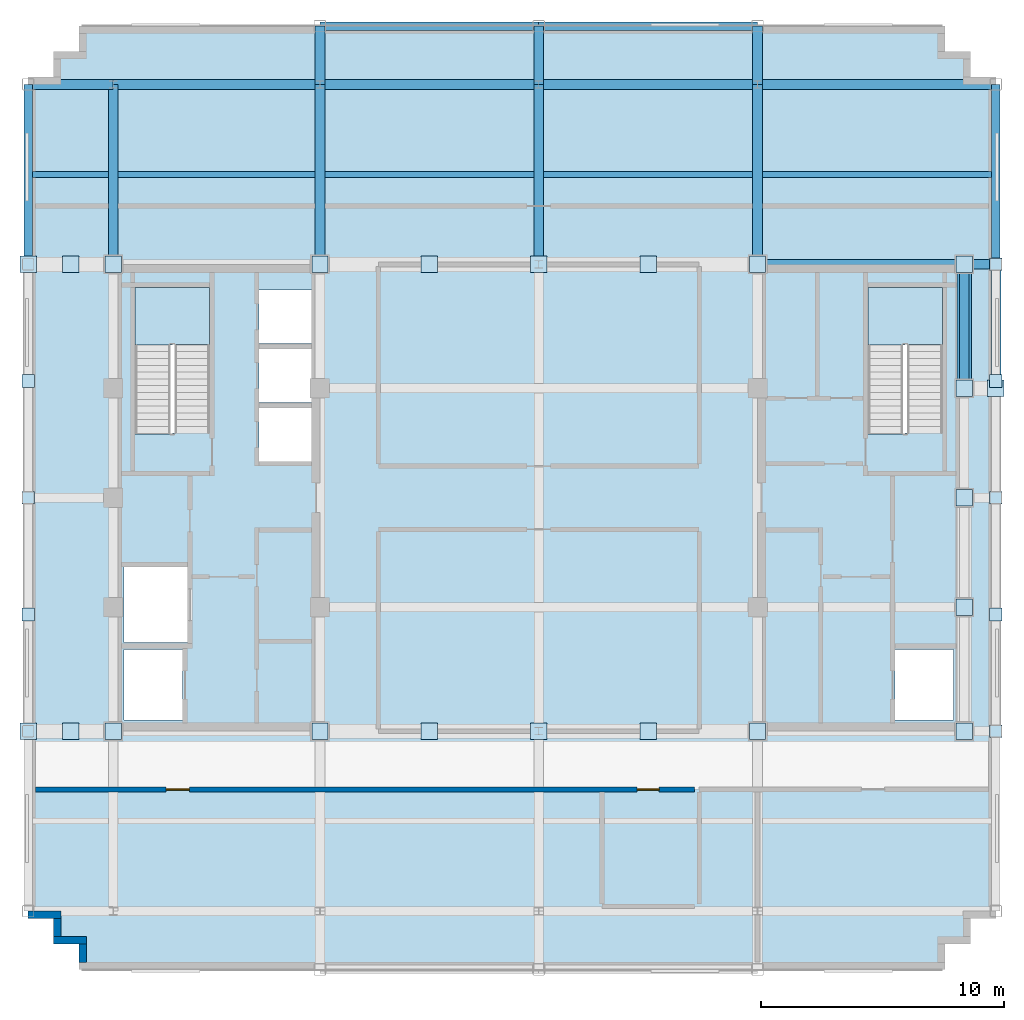
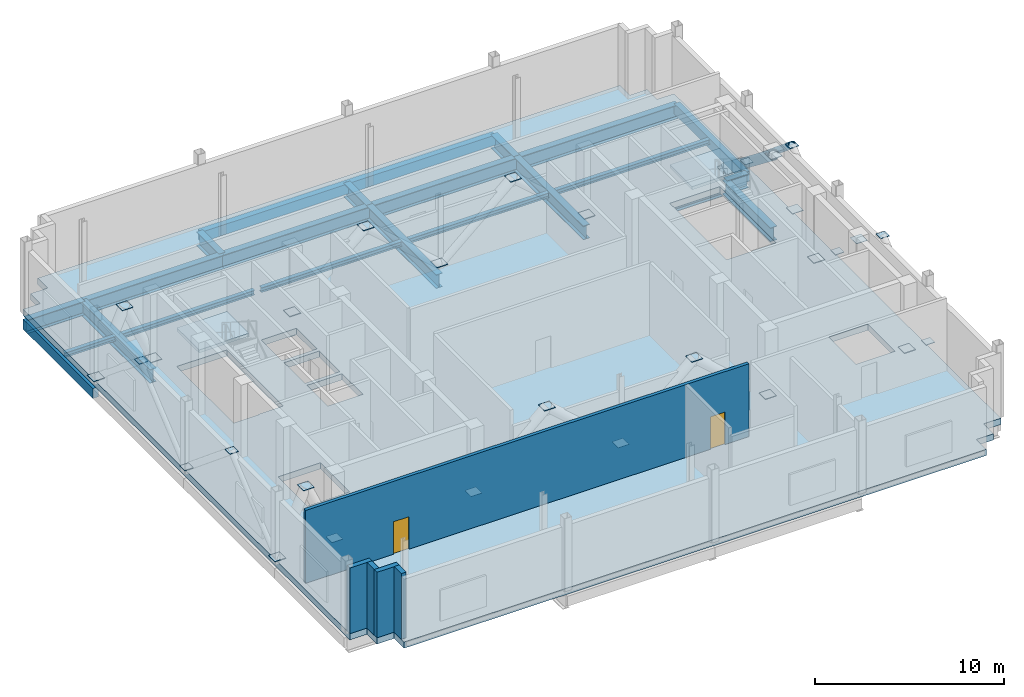
# One storey, part 5 of 12: 30 plates, 24 beams, 5 walls, 3 slabs, 2 doors, 2 members, 2 openings, 2 elements without a shape of their own.
"""IFC4 building model written with IfcOpenShell, lengths in metres."""

from ifc_helpers import new_model, si_unit, direction, frame, frame_2d, origin, origin_2d, place, context, subcontext, project, spatial, polyline, rectangle, hollow_circle, i_section, outline, extrude, source, transform, mapped, material, layer, layer_set, material_profile, profile_set, type_object, type_shapes, element, fill, aggregate, save


model = new_model("IFC4")

# Units and contexts
model_context = context("Model", 3, precision=1e-05, world=origin(), true_north=direction((0.0, 1.0)))
body_context = subcontext(model_context, "Body", "Model", "MODEL_VIEW")
ifc_project = project(units=[si_unit("LENGTHUNIT", "METRE"), si_unit("AREAUNIT", "SQUARE_METRE"), si_unit("VOLUMEUNIT", "CUBIC_METRE"), si_unit("PLANEANGLEUNIT", "RADIAN"), si_unit("MASSUNIT", "GRAM", prefix="KILO")], contexts=[model_context])

# Site, building, storey
site_placement = place(None, origin())
site = spatial("IfcSite", under=ifc_project, at=site_placement, CompositionType="ELEMENT")
building_placement = place(site_placement, origin())
building = spatial("IfcBuilding", under=site, at=building_placement, Name="Nuvemarco Arch Tower", CompositionType="ELEMENT")
storey_placement = place(building_placement, frame((0.0, 0.0, 252.949951171875)))
storey = spatial("IfcBuildingStorey", under=building, at=storey_placement, Name="L67", CompositionType="ELEMENT", Elevation=252.949951171875)

# Beams
ifc_material_1 = material(Name="Steel S355", Category="steel")
ifc_material_profile_1 = material_profile(ifc_material_1, i_section(OverallWidth=0.39990234375, OverallDepth=0.89990234375, WebThickness=0.02197265625, FlangeThickness=0.035888671875, FilletRadius=0.01611328125, at=origin_2d()), Name="PG900x400")
ifc_profile_set_1 = profile_set([ifc_material_profile_1], Name="Steel S355")
beam_type_1 = type_object("IfcBeamType", Name="BM-GIRD-900", PredefinedType="BEAM", material=ifc_profile_set_1)
for number, where, z_axis, x_axis, name in (
    (1, (-17.5, 9.60009765625, -0.849853515625), (0.0, 1.0, 0.0), (-1.0, 0.0, 0.0), "L67 structural beam BGNS_L67_0_-17.5_+9.6"),
    (2, (-9.0, 9.60009765625, -0.849853515625), (0.0, 1.0, 0.0), (-1.0, 0.0, 0.0), "L67 structural beam BGNS_L67_0_-9.0_+9.6"),
):
    element("IfcBeam", number, at=place(storey_placement, frame(where, z_axis=z_axis, x_axis=x_axis)), inside=storey, type_object=beam_type_1, Name=name, PredefinedType="BEAM", context=body_context, shape_type="SweptSolid", body=[
        extrude(i_section(OverallWidth=0.39990234375, OverallDepth=0.89990234375, WebThickness=0.02197265625, FlangeThickness=0.035888671875, FilletRadius=0.01611328125, at=origin_2d()), origin(), (0.0, 0.0, 1.0), 7.39990234375),
    ])
beam_1_placement = place(storey_placement, frame((-9.0, 17.0, -0.849853515625), z_axis=(0.0, 1.0, 0.0), x_axis=(-1.0, 0.0, 0.0)))
element("IfcBeam", 3, at=beam_1_placement, inside=storey, type_object=beam_type_1, Name="L67 structural beam BGNS_L67_0_-9.0_+17.0", PredefinedType="BEAM", context=body_context, shape_type="SweptSolid", body=[
    extrude(i_section(OverallWidth=0.39990234375, OverallDepth=0.89990234375, WebThickness=0.02197265625, FlangeThickness=0.035888671875, FilletRadius=0.01611328125, at=origin_2d()), origin(), (0.0, 0.0, 1.0), 2.39990234375),
])
beam_2_placement = place(storey_placement, frame((0.0, 9.60009765625, -0.849853515625), z_axis=(0.0, 1.0, 0.0), x_axis=(-1.0, 0.0, 0.0)))
element("IfcBeam", 4, at=beam_2_placement, inside=storey, type_object=beam_type_1, Name="L67 structural beam BGNS_L67_0_+0.0_+9.6", PredefinedType="BEAM", context=body_context, shape_type="SweptSolid", body=[
    extrude(i_section(OverallWidth=0.39990234375, OverallDepth=0.89990234375, WebThickness=0.02197265625, FlangeThickness=0.035888671875, FilletRadius=0.01611328125, at=origin_2d()), origin(), (0.0, 0.0, 1.0), 7.39990234375),
])
beam_3_placement = place(storey_placement, frame((0.0, 17.0, -0.849853515625), z_axis=(0.0, 1.0, 0.0), x_axis=(-1.0, 0.0, 0.0)))
element("IfcBeam", 5, at=beam_3_placement, inside=storey, type_object=beam_type_1, Name="L67 structural beam BGNS_L67_0_+0.0_+17.0", PredefinedType="BEAM", context=body_context, shape_type="SweptSolid", body=[
    extrude(i_section(OverallWidth=0.39990234375, OverallDepth=0.89990234375, WebThickness=0.02197265625, FlangeThickness=0.035888671875, FilletRadius=0.01611328125, at=origin_2d()), origin(), (0.0, 0.0, 1.0), 2.39990234375),
])
beam_4_placement = place(storey_placement, frame((9.0, 9.60009765625, -0.849853515625), z_axis=(0.0, 1.0, 0.0), x_axis=(-1.0, 0.0, 0.0)))
element("IfcBeam", 6, at=beam_4_placement, inside=storey, type_object=beam_type_1, Name="L67 structural beam BGNS_L67_0_+9.0_+9.6", PredefinedType="BEAM", context=body_context, shape_type="SweptSolid", body=[
    extrude(i_section(OverallWidth=0.39990234375, OverallDepth=0.89990234375, WebThickness=0.02197265625, FlangeThickness=0.035888671875, FilletRadius=0.01611328125, at=origin_2d()), origin(), (0.0, 0.0, 1.0), 7.39990234375),
])
beam_5_placement = place(storey_placement, frame((9.0, 17.0, -0.849853515625), z_axis=(0.0, 1.0, 0.0), x_axis=(-1.0, 0.0, 0.0)))
element("IfcBeam", 7, at=beam_5_placement, inside=storey, type_object=beam_type_1, Name="L67 structural beam BGNS_L67_0_+9.0_+17.0", PredefinedType="BEAM", context=body_context, shape_type="SweptSolid", body=[
    extrude(i_section(OverallWidth=0.39990234375, OverallDepth=0.89990234375, WebThickness=0.02197265625, FlangeThickness=0.035888671875, FilletRadius=0.01611328125, at=origin_2d()), origin(), (0.0, 0.0, 1.0), 2.39990234375),
])
beam_6_placement = place(storey_placement, frame((17.5, 4.5, -0.849853515625), z_axis=(0.0, 1.0, 0.0), x_axis=(-1.0, 0.0, 0.0)))
element("IfcBeam", 8, at=beam_6_placement, inside=storey, type_object=beam_type_1, Name="L67 structural beam BGNS_L67_0_+17.5_+4.5", PredefinedType="BEAM", context=body_context, shape_type="SweptSolid", body=[
    extrude(i_section(OverallWidth=0.39990234375, OverallDepth=0.89990234375, WebThickness=0.02197265625, FlangeThickness=0.035888671875, FilletRadius=0.01611328125, at=origin_2d()), origin(), (0.0, 0.0, 1.0), 5.10009765625),
])
beam_7_placement = place(storey_placement, frame((9.0, 9.60009765625, -0.849853515625), z_axis=(1.0, 0.0, 0.0), x_axis=(0.0, 1.0, 0.0)))
element("IfcBeam", 9, at=beam_7_placement, inside=storey, type_object=beam_type_1, Name="L67 structural beam BGEW_L67_0_+9.6_+9.0", PredefinedType="BEAM", context=body_context, shape_type="SweptSolid", body=[
    extrude(i_section(OverallWidth=0.39990234375, OverallDepth=0.89990234375, WebThickness=0.02197265625, FlangeThickness=0.035888671875, FilletRadius=0.01611328125, at=origin_2d()), origin(), (0.0, 0.0, 1.0), 8.5),
])
beam_8_placement = place(storey_placement, frame((17.5, 9.60009765625, -0.849853515625), z_axis=(1.0, 0.0, 0.0), x_axis=(0.0, 1.0, 0.0)))
element("IfcBeam", 10, at=beam_8_placement, inside=storey, type_object=beam_type_1, Name="L67 structural beam BGEW_L67_0_+9.6_+17.5", PredefinedType="BEAM", context=body_context, shape_type="SweptSolid", body=[
    extrude(i_section(OverallWidth=0.39990234375, OverallDepth=0.89990234375, WebThickness=0.02197265625, FlangeThickness=0.035888671875, FilletRadius=0.01611328125, at=origin_2d()), origin(), (0.0, 0.0, 1.0), 1.300048828125),
])
beam_9_placement = place(storey_placement, frame((-21.0, 17.0, -0.849853515625), z_axis=(1.0, 0.0, 0.0), x_axis=(0.0, 1.0, 0.0)))
element("IfcBeam", 11, at=beam_9_placement, inside=storey, type_object=beam_type_1, Name="L67 structural beam BGEW_L67_0_+17.0_-21.0", PredefinedType="BEAM", context=body_context, shape_type="SweptSolid", body=[
    extrude(i_section(OverallWidth=0.39990234375, OverallDepth=0.89990234375, WebThickness=0.02197265625, FlangeThickness=0.035888671875, FilletRadius=0.01611328125, at=origin_2d()), origin(), (0.0, 0.0, 1.0), 3.5),
])
beam_10_placement = place(storey_placement, frame((-17.5, 17.0, -0.849853515625), z_axis=(1.0, 0.0, 0.0), x_axis=(0.0, 1.0, 0.0)))
element("IfcBeam", 12, at=beam_10_placement, inside=storey, type_object=beam_type_1, Name="L67 structural beam BGEW_L67_0_+17.0_-17.5", PredefinedType="BEAM", context=body_context, shape_type="SweptSolid", body=[
    extrude(i_section(OverallWidth=0.39990234375, OverallDepth=0.89990234375, WebThickness=0.02197265625, FlangeThickness=0.035888671875, FilletRadius=0.01611328125, at=origin_2d()), origin(), (0.0, 0.0, 1.0), 8.5),
])
for number, where, z_axis, x_axis, name in (
    (13, (-9.0, 17.0, -0.849853515625), (1.0, 0.0, 0.0), (0.0, 1.0, 0.0), "L67 structural beam BGEW_L67_0_+17.0_-9.0"),
    (14, (0.0, 17.0, -0.849853515625), (1.0, 0.0, 0.0), (0.0, 1.0, 0.0), "L67 structural beam BGEW_L67_0_+17.0_+0.0"),
):
    element("IfcBeam", number, at=place(storey_placement, frame(where, z_axis=z_axis, x_axis=x_axis)), inside=storey, type_object=beam_type_1, Name=name, PredefinedType="BEAM", context=body_context, shape_type="SweptSolid", body=[
        extrude(i_section(OverallWidth=0.39990234375, OverallDepth=0.89990234375, WebThickness=0.02197265625, FlangeThickness=0.035888671875, FilletRadius=0.01611328125, at=origin_2d()), origin(), (0.0, 0.0, 1.0), 9.0),
    ])
beam_11_placement = place(storey_placement, frame((9.0, 17.0, -0.849853515625), z_axis=(1.0, 0.0, 0.0), x_axis=(0.0, 1.0, 0.0)))
element("IfcBeam", 15, at=beam_11_placement, inside=storey, type_object=beam_type_1, Name="L67 structural beam BGEW_L67_0_+17.0_+9.0", PredefinedType="BEAM", context=body_context, shape_type="SweptSolid", body=[
    extrude(i_section(OverallWidth=0.39990234375, OverallDepth=0.89990234375, WebThickness=0.02197265625, FlangeThickness=0.035888671875, FilletRadius=0.01611328125, at=origin_2d()), origin(), (0.0, 0.0, 1.0), 9.800048828125),
])
ifc_material_profile_2 = material_profile(ifc_material_1, i_section(OverallWidth=0.25390625, OverallDepth=0.305908203125, WebThickness=0.0087890625, FlangeThickness=0.0146484375, FilletRadius=0.014892578125, at=origin_2d()), Name="W310x79")
ifc_profile_set_2 = profile_set([ifc_material_profile_2], Name="Steel S355")
beam_type_2 = type_object("IfcBeamType", Name="BM-JOIST-310H", PredefinedType="JOIST", material=ifc_profile_set_2)
beam_12_placement = place(storey_placement, frame((-20.824951171875, 13.300048828125, -0.552978515625), z_axis=(1.0, 0.0, 0.0), x_axis=(0.0, 1.0, 0.0)))
element("IfcBeam", 16, at=beam_12_placement, inside=storey, type_object=beam_type_2, Name="L67 structural beam BJ_L67_0_+13.3_-21.0", PredefinedType="JOIST", context=body_context, shape_type="SweptSolid", body=[
    extrude(i_section(OverallWidth=0.25390625, OverallDepth=0.305908203125, WebThickness=0.0087890625, FlangeThickness=0.0146484375, FilletRadius=0.014892578125, at=origin_2d()), origin(), (0.0, 0.0, 1.0), 3.125),
])
beam_13_placement = place(storey_placement, frame((-17.300048828125, 13.300048828125, -0.552978515625), z_axis=(1.0, 0.0, 0.0), x_axis=(0.0, 1.0, 0.0)))
element("IfcBeam", 17, at=beam_13_placement, inside=storey, type_object=beam_type_2, Name="L67 structural beam BJ_L67_0_+13.3_-17.5", PredefinedType="JOIST", context=body_context, shape_type="SweptSolid", body=[
    extrude(i_section(OverallWidth=0.25390625, OverallDepth=0.305908203125, WebThickness=0.0087890625, FlangeThickness=0.0146484375, FilletRadius=0.014892578125, at=origin_2d()), origin(), (0.0, 0.0, 1.0), 8.10009765625),
])
for number, where, z_axis, x_axis, name in (
    (18, (-8.800048828125, 13.300048828125, -0.552978515625), (1.0, 0.0, 0.0), (0.0, 1.0, 0.0), "L67 structural beam BJ_L67_0_+13.3_-9.0"),
    (19, (0.199951171875, 13.300048828125, -0.552978515625), (1.0, 0.0, 0.0), (0.0, 1.0, 0.0), "L67 structural beam BJ_L67_0_+13.3_+0.0"),
):
    element("IfcBeam", number, at=place(storey_placement, frame(where, z_axis=z_axis, x_axis=x_axis)), inside=storey, type_object=beam_type_2, Name=name, PredefinedType="JOIST", context=body_context, shape_type="SweptSolid", body=[
        extrude(i_section(OverallWidth=0.25390625, OverallDepth=0.305908203125, WebThickness=0.0087890625, FlangeThickness=0.0146484375, FilletRadius=0.014892578125, at=origin_2d()), origin(), (0.0, 0.0, 1.0), 8.60009765625),
    ])
beam_14_placement = place(storey_placement, frame((9.199951171875, 13.300048828125, -0.552978515625), z_axis=(1.0, 0.0, 0.0), x_axis=(0.0, 1.0, 0.0)))
element("IfcBeam", 20, at=beam_14_placement, inside=storey, type_object=beam_type_2, Name="L67 structural beam BJ_L67_0_+13.3_+9.0", PredefinedType="JOIST", context=body_context, shape_type="SweptSolid", body=[
    extrude(i_section(OverallWidth=0.25390625, OverallDepth=0.305908203125, WebThickness=0.0087890625, FlangeThickness=0.0146484375, FilletRadius=0.014892578125, at=origin_2d()), origin(), (0.0, 0.0, 1.0), 9.425048828125),
])
ifc_material_2 = material(Name="Precast concrete C45/55", Category="concrete")
ifc_material_profile_3 = material_profile(ifc_material_2, rectangle(XDim=0.35009765625, YDim=0.64990234375, at=origin_2d()), Name="PC-SP-350x650")
ifc_profile_set_3 = profile_set([ifc_material_profile_3], Name="Precast concrete C45/55")
beam_type_3 = type_object("IfcBeamType", Name="BM-SPAN-RC", PredefinedType="SPANDREL", material=ifc_profile_set_3)
for number, where, z_axis, x_axis, name in (
    (21, (-21.0, 9.60009765625, -0.724853515625), (0.0, 1.0, 0.0), (-1.0, 0.0, 0.0), "L67 structural beam BGNS_L67_0_-21.0_+9.6"),
    (22, (18.800048828125, 9.60009765625, -0.724853515625), (0.0, 1.0, 0.0), (-1.0, 0.0, 0.0), "L67 structural beam BGNS_L67_0_+18.8_+9.6"),
):
    element("IfcBeam", number, at=place(storey_placement, frame(where, z_axis=z_axis, x_axis=x_axis)), inside=storey, type_object=beam_type_3, Name=name, PredefinedType="SPANDREL", context=body_context, shape_type="SweptSolid", body=[
        extrude(rectangle(XDim=0.35009765625, YDim=0.64990234375, at=origin_2d()), origin(), (0.0, 0.0, 1.0), 7.39990234375),
    ])
for number, where, z_axis, x_axis, name in (
    (23, (-9.0, 19.39990234375, -0.724853515625), (1.0, 0.0, 0.0), (0.0, 1.0, 0.0), "L67 structural beam BGEW_L67_0_+19.4_-9.0"),
    (24, (0.0, 19.39990234375, -0.724853515625), (1.0, 0.0, 0.0), (0.0, 1.0, 0.0), "L67 structural beam BGEW_L67_0_+19.4_+0.0"),
):
    element("IfcBeam", number, at=place(storey_placement, frame(where, z_axis=z_axis, x_axis=x_axis)), inside=storey, type_object=beam_type_3, Name=name, PredefinedType="SPANDREL", context=body_context, shape_type="SweptSolid", body=[
        extrude(rectangle(XDim=0.35009765625, YDim=0.64990234375, at=origin_2d()), origin(), (0.0, 0.0, 1.0), 9.0),
    ])

# Members
ifc_material_profile_4 = material_profile(ifc_material_1, hollow_circle(Radius=0.203125, WallThickness=0.02490234375, at=origin_2d()), Name="CHS406.4x25")
ifc_profile_set_4 = profile_set([ifc_material_profile_4], Name="Steel S355")
member_type_1 = type_object("IfcMemberType", Name="MB-BELT-1", PredefinedType="CHORD", material=ifc_profile_set_4)
member_1_placement = place(storey_placement, frame((18.800048828125, 4.800048828125, 4.27001953125), z_axis=(0.0, 0.770590115692, -0.637331054945), x_axis=(-1.0, 0.0, 0.0)))
element("IfcMember", 25, at=member_1_placement, inside=storey, type_object=member_type_1, Name="L67 perimeter belt-truss brace E-4", PredefinedType="CHORD", context=body_context, shape_type="SweptSolid", body=[
    extrude(hollow_circle(Radius=0.203125, WallThickness=0.02490234375, at=origin_2d()), origin(), (0.0, 0.0, 1.0), 6.22900390625),
])
ifc_material_profile_5 = material_profile(ifc_material_1, hollow_circle(Radius=0.304931640625, WallThickness=0.0400390625, at=origin_2d()), Name="CHS610x40")
ifc_profile_set_5 = profile_set([ifc_material_profile_5], Name="Steel S355")
member_type_2 = type_object("IfcMemberType", Name="MB-OUTRIGGER-2", PredefinedType="BRACE", material=ifc_profile_set_5)
member_2_placement = place(storey_placement, frame((17.5, 9.60009765625, 0.300048828125), z_axis=(0.0, -0.78911010841, 0.614251769883), x_axis=(1.0, 0.0, 0.0)))
element("IfcMember", 26, at=member_2_placement, inside=storey, type_object=member_type_2, Name="L67 outrigger truss brace east 1", PredefinedType="BRACE", context=body_context, shape_type="SweptSolid", body=[
    extrude(hollow_circle(Radius=0.304931640625, WallThickness=0.0400390625, at=origin_2d()), origin(), (0.0, 0.0, 1.0), 6.463134765625),
])

# Slab
ifc_material_3 = material(Name="Concrete C60/75", Category="concrete")
ifc_layer_1 = layer(ifc_material_3, 0.39990234375, Name="SL-FLR-400")
ifc_layer_set_1 = layer_set([ifc_layer_1], Name="Concrete C60/75")
slab_type_1 = type_object("IfcSlabType", Name="SL-FLR-400", PredefinedType="FLOOR", material=ifc_layer_set_1)
slab_1_placement = place(storey_placement, frame((0.0, 0.0, -0.39990234375)))
element("IfcSlab", 27, at=slab_1_placement, inside=storey, type_object=slab_type_1, Name="L67 structural floor slab", PredefinedType="FLOOR", context=body_context, shape_type="SweptSolid", body=[
    extrude(outline(polyline([(-18.89990234375, -19.39990234375), (16.699951171875, -19.39990234375), (16.699951171875, -18.35009765625), (17.75, -18.35009765625), (17.75, -17.300048828125), (18.800048828125, -17.300048828125), (18.800048828125, 17.300048828125), (17.75, 17.300048828125), (17.75, 18.35009765625), (16.699951171875, 18.35009765625), (16.699951171875, 19.39990234375), (-18.89990234375, 19.39990234375), (-18.89990234375, 18.35009765625), (-19.949951171875, 18.35009765625), (-19.949951171875, 17.300048828125), (-21.0, 17.300048828125), (-21.0, -17.300048828125), (-19.949951171875, -17.300048828125), (-19.949951171875, -18.35009765625), (-18.89990234375, -18.35009765625), (-18.89990234375, -19.39990234375)]), holes=[polyline([(-13.5400390625, 2.669921875), (-13.5400390625, 8.64990234375), (-16.60009765625, 8.64990234375), (-16.60009765625, 2.630615234375), (-15.070068359375, 2.630615234375), (-15.070068359375, 2.669921875), (-13.5400390625, 2.669921875)]), polyline([(16.60009765625, 2.669921875), (16.60009765625, 8.64990234375), (13.5400390625, 8.64990234375), (13.5400390625, 2.630615234375), (15.070068359375, 2.630615234375), (15.070068359375, 2.669921875), (16.60009765625, 2.669921875)]), polyline([(-17.050048828125, -9.14990234375), (-14.64990234375, -9.14990234375), (-14.64990234375, -6.25), (-17.050048828125, -6.25), (-17.050048828125, -9.14990234375)]), polyline([(-17.050048828125, -5.949951171875), (-14.449951171875, -5.949951171875), (-14.449951171875, -2.85009765625), (-17.050048828125, -2.85009765625), (-17.050048828125, -5.949951171875)]), polyline([(-11.5, 1.5), (-9.35009765625, 1.5), (-9.35009765625, 3.699951171875), (-11.5, 3.699951171875), (-11.5, 1.5)]), polyline([(-11.5, 3.919921875), (-9.35009765625, 3.919921875), (-9.35009765625, 6.1201171875), (-11.5, 6.1201171875), (-11.5, 3.919921875)]), polyline([(-11.5, 6.340087890625), (-9.35009765625, 6.340087890625), (-9.35009765625, 8.5400390625), (-11.5, 8.5400390625), (-11.5, 6.340087890625)]), polyline([(14.64990234375, -9.14990234375), (17.050048828125, -9.14990234375), (17.050048828125, -6.25), (14.64990234375, -6.25), (14.64990234375, -9.14990234375)])]), origin(), (0.0, 0.0, 1.0), 0.39990234375),
])

# Stair, slab
stair_type = type_object("IfcStairType", Name="ST-CORE-28R", PredefinedType="HALF_TURN_STAIR", material=ifc_material_2)
stair_1_placement = place(storey_placement, origin())
stair_1 = element("IfcStair", 28, at=stair_1_placement, inside=storey, type_object=stair_type, Name="L67 Protected Exit Stair ST-1", PredefinedType="HALF_TURN_STAIR")
ifc_layer_2 = layer(ifc_material_2, 0.199951171875, Name="SL-LANDING-200")
ifc_layer_set_2 = layer_set([ifc_layer_2], Name="Precast concrete C45/55")
slab_type_2 = type_object("IfcSlabType", Name="SL-LANDING-200", PredefinedType="LANDING", material=ifc_layer_set_2)
slab_2_placement = place(storey_placement, frame((0.0, 0.0, 2.300048828125)))
slab_2 = element("IfcSlab", 29, at=slab_2_placement, type_object=slab_type_2, Name="ST-28R landing 1", PredefinedType="LANDING", context=body_context, shape_type="SweptSolid", body=[
    extrude(outline(polyline([(-13.5400390625, 6.309326171875), (-13.5400390625, 8.64990234375), (-16.60009765625, 8.64990234375), (-16.60009765625, 6.2900390625), (-15.070068359375, 6.2900390625), (-15.070068359375, 6.309326171875), (-13.5400390625, 6.309326171875)])), origin(), (0.0, 0.0, 1.0), 0.199951171875),
])
aggregate(stair_1, [slab_2])

stair_2_placement = place(storey_placement, origin())
stair_2 = element("IfcStair", 30, at=stair_2_placement, inside=storey, type_object=stair_type, Name="L67 Protected Exit Stair ST-2", PredefinedType="HALF_TURN_STAIR")
slab_3_placement = place(storey_placement, frame((0.0, 0.0, 2.300048828125)))
slab_3 = element("IfcSlab", 31, at=slab_3_placement, type_object=slab_type_2, Name="ST-28R landing 1", PredefinedType="LANDING", context=body_context, shape_type="SweptSolid", body=[
    extrude(outline(polyline([(16.60009765625, 6.309326171875), (16.60009765625, 8.64990234375), (13.5400390625, 8.64990234375), (13.5400390625, 6.2900390625), (15.070068359375, 6.2900390625), (15.070068359375, 6.309326171875), (16.60009765625, 6.309326171875)])), origin(), (0.0, 0.0, 1.0), 0.199951171875),
])
aggregate(stair_2, [slab_3])

# Plates
ifc_layer_3 = layer(ifc_material_1, 0.030029296875, Name="PL-CAP-650")
ifc_layer_set_3 = layer_set([ifc_layer_3], Name="Steel S355")
plate_type_1 = type_object("IfcPlateType", Name="PL-CAP-650", PredefinedType="SHEET", material=ifc_layer_set_3)
shared_shape_1 = source(origin(), body_context, "Body", "SweptSolid", [
    extrude(rectangle(XDim=0.669921875, YDim=0.669921875, at=origin_2d()), origin(), (0.0, 0.0, 1.0), 0.030029296875),
])
type_shapes(plate_type_1, [shared_shape_1])
for number, where, z_axis, x_axis, name in (
    (32, (-21.0, -9.60009765625, 0.28515625), (0.0, 0.0, 1.0), (1.0, 0.0, 0.0), "Hollow steel end-cap plate OTR_W_L67_-9.6_0_C0"),
    (33, (-19.25, -9.60009765625, 4.2548828125), (0.0, 0.0, 1.0), (1.0, 0.0, 0.0), "Hollow steel end-cap plate OTR_W_L67_-9.6_0_C1"),
    (34, (-17.5, -9.60009765625, 0.28515625), (0.0, 0.0, 1.0), (1.0, 0.0, 0.0), "Hollow steel end-cap plate OTR_W_L67_-9.6_1_C1"),
    (35, (17.5, -9.60009765625, 0.28515625), (0.0, 0.0, 1.0), (1.0, 0.0, 0.0), "Hollow steel end-cap plate OTR_E_L67_-9.6_0_C0"),
    (36, (17.5, -4.5, 4.2548828125), (0.0, 0.0, 1.0), (1.0, 0.0, 0.0), "Hollow steel end-cap plate OTR_E_L67_-9.6_0_C1"),
    (37, (17.5, 0.0, 0.28515625), (0.0, 0.0, 1.0), (1.0, 0.0, 0.0), "Hollow steel end-cap plate OTR_E_L67_-9.6_1_C1"),
    (38, (-9.0, -9.60009765625, 0.28515625), (0.0, 0.0, 1.0), (1.0, 0.0, 0.0), "Hollow steel end-cap plate OTR_C_L67_-9.6_0_C0"),
    (39, (-4.5, -9.60009765625, 4.2548828125), (0.0, 0.0, 1.0), (1.0, 0.0, 0.0), "Hollow steel end-cap plate OTR_C_L67_-9.6_0_C1"),
    (40, (0.0, -9.60009765625, 0.28515625), (0.0, 0.0, 1.0), (1.0, 0.0, 0.0), "Hollow steel end-cap plate OTR_C_L67_-9.6_1_C1"),
    (41, (4.5, -9.60009765625, 4.2548828125), (0.0, 0.0, 1.0), (1.0, 0.0, 0.0), "Hollow steel end-cap plate OTR_C_L67_-9.6_2_C1"),
    (42, (9.0, -9.60009765625, 0.28515625), (0.0, 0.0, 1.0), (1.0, 0.0, 0.0), "Hollow steel end-cap plate OTR_C_L67_-9.6_3_C1"),
    (43, (-21.0, 9.60009765625, 0.28515625), (0.0, 0.0, 1.0), (1.0, 0.0, 0.0), "Hollow steel end-cap plate OTR_W_L67_+9.6_0_C0"),
    (44, (-19.25, 9.60009765625, 4.2548828125), (0.0, 0.0, 1.0), (1.0, 0.0, 0.0), "Hollow steel end-cap plate OTR_W_L67_+9.6_0_C1"),
    (45, (-17.5, 9.60009765625, 0.28515625), (0.0, 0.0, 1.0), (1.0, 0.0, 0.0), "Hollow steel end-cap plate OTR_W_L67_+9.6_1_C1"),
    (46, (17.5, 9.60009765625, 0.28515625), (0.0, 0.0, 1.0), (1.0, 0.0, 0.0), "Hollow steel end-cap plate OTR_E_L67_+9.6_0_C0"),
    (47, (17.5, 4.5, 4.2548828125), (0.0, 0.0, 1.0), (1.0, 0.0, 0.0), "Hollow steel end-cap plate OTR_E_L67_+9.6_0_C1"),
    (48, (18.800048828125, 4.5, 0.28515625), (0.0, 0.0, 1.0), (1.0, 0.0, 0.0), "Hollow steel end-cap plate OTR_E_L67_+9.6_1_C1"),
    (49, (-9.0, 9.60009765625, 0.28515625), (0.0, 0.0, 1.0), (1.0, 0.0, 0.0), "Hollow steel end-cap plate OTR_C_L67_+9.6_0_C0"),
    (50, (-4.5, 9.60009765625, 4.2548828125), (0.0, 0.0, 1.0), (1.0, 0.0, 0.0), "Hollow steel end-cap plate OTR_C_L67_+9.6_0_C1"),
    (51, (0.0, 9.60009765625, 0.28515625), (0.0, 0.0, 1.0), (1.0, 0.0, 0.0), "Hollow steel end-cap plate OTR_C_L67_+9.6_1_C1"),
    (52, (4.5, 9.60009765625, 4.2548828125), (0.0, 0.0, 1.0), (1.0, 0.0, 0.0), "Hollow steel end-cap plate OTR_C_L67_+9.6_2_C1"),
    (53, (9.0, 9.60009765625, 0.28515625), (0.0, 0.0, 1.0), (1.0, 0.0, 0.0), "Hollow steel end-cap plate OTR_C_L67_+9.6_3_C1"),
):
    element("IfcPlate", number, at=place(storey_placement, frame(where, z_axis=z_axis, x_axis=x_axis)), inside=storey, type_object=plate_type_1, Name=name, PredefinedType="SHEET", context=body_context, shape_type="MappedRepresentation", body=[
        mapped(shared_shape_1, transform((0.0, 0.0, 0.0), scale=1.0)),
    ])
ifc_layer_4 = layer(ifc_material_1, 0.030029296875, Name="PL-CAP-500-EXT")
ifc_layer_set_4 = layer_set([ifc_layer_4], Name="Steel S355")
plate_type_2 = type_object("IfcPlateType", Name="PL-CAP-500-EXT", PredefinedType="SHEET", material=ifc_layer_set_4)
shared_shape_2 = source(origin(), body_context, "Body", "SweptSolid", [
    extrude(rectangle(XDim=0.52001953125, YDim=0.52001953125, at=origin_2d()), origin(), (0.0, 0.0, 1.0), 0.030029296875),
])
type_shapes(plate_type_2, [shared_shape_2])
for number, where, z_axis, x_axis, name in (
    (54, (-21.0, -4.800048828125, 4.2548828125), (0.0, 0.0, 1.0), (1.0, 0.0, 0.0), "Hollow steel end-cap plate BLT_L67_W_0_C1"),
    (55, (-21.0, 0.0, 0.28515625), (0.0, 0.0, 1.0), (1.0, 0.0, 0.0), "Hollow steel end-cap plate BLT_L67_W_1_C1"),
    (56, (-21.0, 4.800048828125, 4.2548828125), (0.0, 0.0, 1.0), (1.0, 0.0, 0.0), "Hollow steel end-cap plate BLT_L67_W_2_C1"),
    (57, (18.800048828125, -9.60009765625, 0.28515625), (0.0, 0.0, 1.0), (1.0, 0.0, 0.0), "Hollow steel end-cap plate BLT_L67_E_0_C0"),
    (58, (18.800048828125, -4.800048828125, 4.2548828125), (0.0, 0.0, 1.0), (1.0, 0.0, 0.0), "Hollow steel end-cap plate BLT_L67_E_0_C1"),
    (59, (18.800048828125, 0.0, 0.28515625), (0.0, 0.0, 1.0), (1.0, 0.0, 0.0), "Hollow steel end-cap plate BLT_L67_E_1_C1"),
    (60, (18.800048828125, 4.800048828125, 4.2548828125), (0.0, 0.0, 1.0), (1.0, 0.0, 0.0), "Hollow steel end-cap plate BLT_L67_E_2_C1"),
    (61, (18.800048828125, 9.60009765625, 0.28515625), (0.0, 0.0, 1.0), (1.0, 0.0, 0.0), "Hollow steel end-cap plate BLT_L67_E_3_C1"),
):
    element("IfcPlate", number, at=place(storey_placement, frame(where, z_axis=z_axis, x_axis=x_axis)), inside=storey, type_object=plate_type_2, Name=name, PredefinedType="SHEET", context=body_context, shape_type="MappedRepresentation", body=[
        mapped(shared_shape_2, transform((0.0, 0.0, 0.0), scale=1.0)),
    ])

# Walls
ifc_layer_5 = layer(ifc_material_2, 0.300048828125, Name="EW-HIGH-300")
ifc_layer_set_5 = layer_set([ifc_layer_5], Name="Precast concrete C45/55")
wall_type_1 = type_object("IfcWallType", Name="EW-HIGH-300", PredefinedType="STANDARD", material=ifc_layer_set_5)
wall_1_placement = place(storey_placement, frame((-21.0, -17.14990234375, 0.0), z_axis=(0.0, 0.0, 1.0), x_axis=(1.0, 0.0, 0.0)))
element("IfcWall", 62, at=wall_1_placement, inside=storey, type_object=wall_type_1, Name="L67 exterior precast facade wall 17", PredefinedType="STANDARD", context=body_context, shape_type="SweptSolid", body=[
    extrude(rectangle(XDim=1.35009765625, YDim=0.300048828125, at=frame_2d((0.675048828125, 0.0))), origin(), (0.0, 0.0, 1.0), 4.241943359375),
])
wall_2_placement = place(storey_placement, frame((-19.800048828125, -18.053955078125, 0.0), z_axis=(0.0, 0.0, 1.0), x_axis=(0.0, 1.0, 0.0)))
element("IfcWall", 63, at=wall_2_placement, inside=storey, type_object=wall_type_1, Name="L67 exterior precast facade wall 18", PredefinedType="STANDARD", context=body_context, shape_type="SweptSolid", body=[
    extrude(rectangle(XDim=0.758056640625, YDim=0.300048828125, at=frame_2d((0.37890625, 0.0))), origin(), (0.0, 0.0, 1.0), 4.241943359375),
])
wall_3_placement = place(storey_placement, frame((-19.949951171875, -18.199951171875, 0.0), z_axis=(0.0, 0.0, 1.0), x_axis=(1.0, 0.0, 0.0)))
element("IfcWall", 64, at=wall_3_placement, inside=storey, type_object=wall_type_1, Name="L67 exterior precast facade wall 19", PredefinedType="STANDARD", context=body_context, shape_type="SweptSolid", body=[
    extrude(rectangle(XDim=1.349853515625, YDim=0.300048828125, at=frame_2d((0.6748046875, 0.0))), origin(), (0.0, 0.0, 1.0), 4.241943359375),
])
wall_4_placement = place(storey_placement, frame((-18.75, -19.10400390625, 0.0), z_axis=(0.0, 0.0, 1.0), x_axis=(0.0, 1.0, 0.0)))
element("IfcWall", 65, at=wall_4_placement, inside=storey, type_object=wall_type_1, Name="L67 exterior precast facade wall 20", PredefinedType="STANDARD", context=body_context, shape_type="SweptSolid", body=[
    extrude(rectangle(XDim=0.758056640625, YDim=0.300048828125, at=frame_2d((0.37890625, 0.0))), origin(), (0.0, 0.0, 1.0), 4.241943359375),
])

# Wall, openings, doors
ifc_layer_6 = layer(ifc_material_2, 0.199951171875, Name="WL-PLANT-200")
ifc_layer_set_6 = layer_set([ifc_layer_6], Name="Precast concrete C45/55")
wall_type_2 = type_object("IfcWallType", Name="WL-PLANT-200", PredefinedType="STANDARD", material=ifc_layer_set_6)
wall_5_placement = place(storey_placement, frame((-20.699951171875, -12.0, 0.0), z_axis=(0.0, 0.0, 1.0), x_axis=(1.0, 0.0, 0.0)))
wall_5 = element("IfcWall", 66, at=wall_5_placement, inside=storey, type_object=wall_type_2, Name="L67 interior wall IW-L67-002", PredefinedType="STANDARD", context=body_context, shape_type="SweptSolid", body=[
    extrude(rectangle(XDim=27.099853515625, YDim=0.199951171875, at=frame_2d((13.5498046875, 0.0))), origin(), (0.0, 0.0, 1.0), 4.7099609375),
])
opening_1_placement = place(wall_5_placement, frame((5.3701171875, 0.0, 0.0)))
opening_1 = element("IfcOpeningElement", 67, at=opening_1_placement, cuts=wall_5, Name="Opening FD-5", PredefinedType="OPENING", context=body_context, shape_type="SweptSolid", body=[
    extrude(rectangle(XDim=0.9599609375, YDim=2.10009765625, at=frame_2d((0.47998046875, 1.050048828125))), frame((0.0, 0.10986328125, 0.0), z_axis=(0.0, -1.0, 0.0), x_axis=(1.0, 0.0, 0.0)), (0.0, 0.0, 1.0), 0.219970703125),
])
opening_2_placement = place(wall_5_placement, frame((24.75, 0.0, 0.0)))
opening_2 = element("IfcOpeningElement", 68, at=opening_2_placement, cuts=wall_5, Name="Opening ID-3", PredefinedType="OPENING", context=body_context, shape_type="SweptSolid", body=[
    extrude(rectangle(XDim=0.89990234375, YDim=2.10009765625, at=frame_2d((0.449951171875, 1.050048828125))), frame((0.0, 0.10986328125, 0.0), z_axis=(0.0, -1.0, 0.0), x_axis=(1.0, 0.0, 0.0)), (0.0, 0.0, 1.0), 0.219970703125),
])
ifc_material_4 = material(Name="Timber fire door", Category="wood")
door_type_1 = type_object("IfcDoorType", Name="DR-CORR-FD", OperationType="NOTDEFINED", PredefinedType="DOOR", material=ifc_material_4)
shared_shape_3 = source(origin(), body_context, "Body", "SweptSolid", [
    extrude(rectangle(XDim=0.9599609375, YDim=2.10009765625, at=frame_2d((0.47998046875, 1.050048828125))), frame((0.0, 0.02490234375, 0.0), z_axis=(0.0, -1.0, 0.0), x_axis=(1.0, 0.0, 0.0)), (0.0, 0.0, 1.0), 0.050048828125),
])
type_shapes(door_type_1, [shared_shape_3])
door_1_placement = place(opening_1_placement, origin())
door_1 = element("IfcDoor", 69, at=door_1_placement, inside=storey, type_object=door_type_1, Name="L67 door DR-L67-REF_SOUTH", OperationType="SINGLE_SWING_LEFT", OverallHeight=2.10009765625, OverallWidth=0.9599609375, PredefinedType="DOOR", context=body_context, shape_type="MappedRepresentation", body=[
    mapped(shared_shape_3, transform((0.0, 0.0, 0.0), scale=1.0)),
])
fill(opening_1, door_1)
ifc_material_5 = material(Name="Veneered oak timber fire door", Category="wood")
door_type_2 = type_object("IfcDoorType", Name="DR-WC-ACC", OperationType="NOTDEFINED", PredefinedType="DOOR", material=ifc_material_5)
shared_shape_4 = source(origin(), body_context, "Body", "SweptSolid", [
    extrude(rectangle(XDim=0.89990234375, YDim=2.10009765625, at=frame_2d((0.449951171875, 1.050048828125))), frame((0.0, 0.02490234375, 0.0), z_axis=(0.0, -1.0, 0.0), x_axis=(1.0, 0.0, 0.0)), (0.0, 0.0, 1.0), 0.050048828125),
])
type_shapes(door_type_2, [shared_shape_4])
door_2_placement = place(opening_2_placement, origin())
door_2 = element("IfcDoor", 70, at=door_2_placement, inside=storey, type_object=door_type_2, Name="L67 door DR-L67-REF_WC", OperationType="SINGLE_SWING_LEFT", OverallHeight=2.10009765625, OverallWidth=0.89990234375, PredefinedType="DOOR", context=body_context, shape_type="MappedRepresentation", body=[
    mapped(shared_shape_4, transform((0.0, 0.0, 0.0), scale=1.0)),
])
fill(opening_2, door_2)

save(model, "model.ifc")
